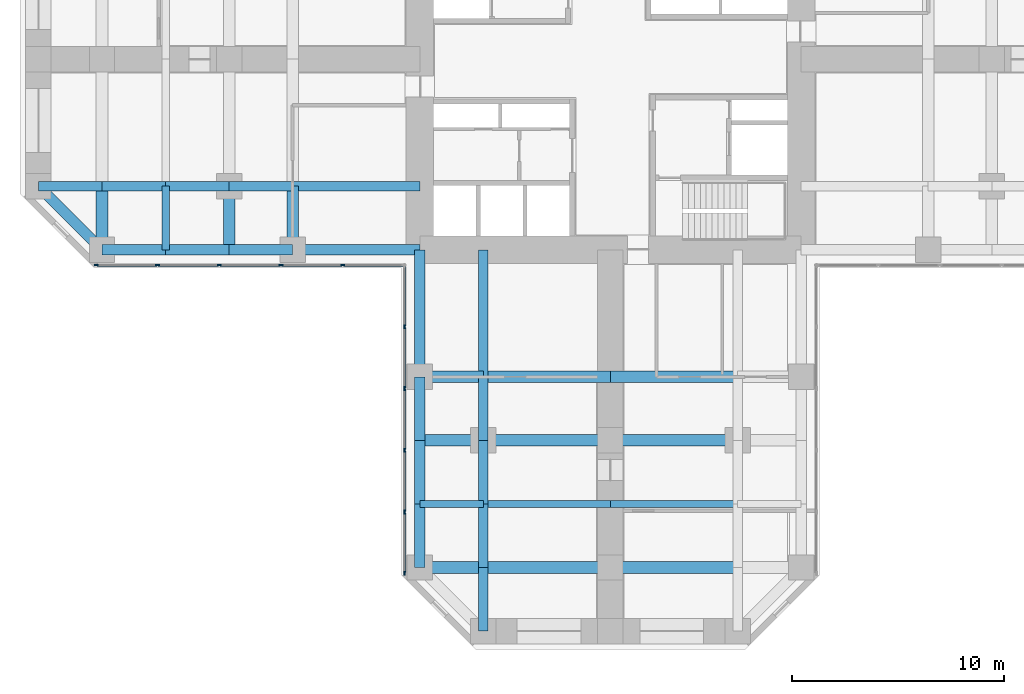
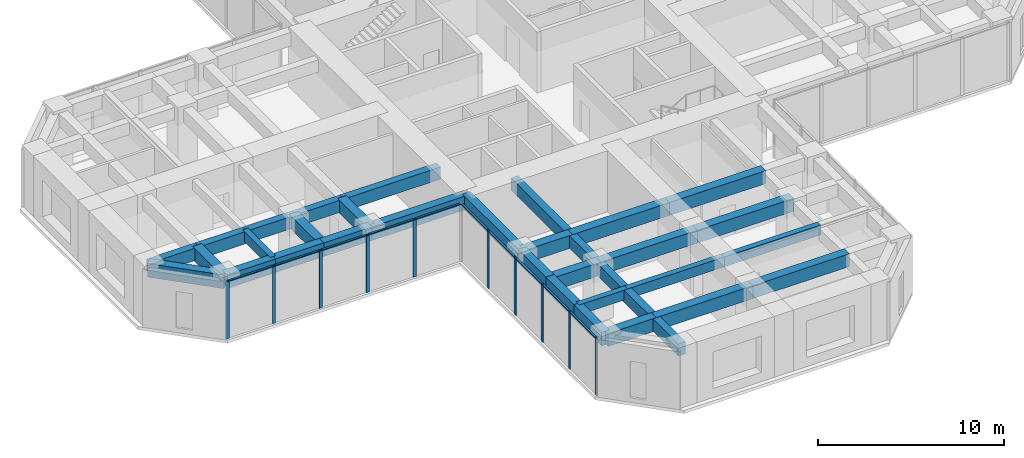
# One storey, part 2 of 12: 35 beams, 20 members, 2 elements without a shape of their own.
"""IFC4 building model written with IfcOpenShell, lengths in metres."""

from ifc_helpers import new_model, si_unit, direction, frame, origin, origin_2d, place, context, subcontext, project, spatial, rectangle, extrude, material, material_profile, profile_set, type_object, element, aggregate, save


model = new_model("IFC4")

# Units and contexts
model_context = context("Model", 3, precision=1e-05, world=origin(), true_north=direction((0.0, 1.0)))
body_context = subcontext(model_context, "Body", "Model", "MODEL_VIEW")
ifc_project = project(units=[si_unit("LENGTHUNIT", "METRE"), si_unit("AREAUNIT", "SQUARE_METRE"), si_unit("VOLUMEUNIT", "CUBIC_METRE"), si_unit("PLANEANGLEUNIT", "RADIAN"), si_unit("MASSUNIT", "GRAM", prefix="KILO")], contexts=[model_context])

# Site, building, storey
site_placement = place(None, origin())
site = spatial("IfcSite", under=ifc_project, at=site_placement, CompositionType="ELEMENT")
building_placement = place(site_placement, origin())
building = spatial("IfcBuilding", under=site, at=building_placement, Name="Torre Cruceta", CompositionType="ELEMENT")
storey_placement = place(building_placement, frame((0.0, 0.0, 71.5)))
storey = spatial("IfcBuildingStorey", under=building, at=storey_placement, Name="L17", CompositionType="ELEMENT", Elevation=71.5)

# Beams
ifc_material_1 = material(Name="Concrete G60 (fck 60 MPa)", Category="concrete")
ifc_material_profile_1 = material_profile(ifc_material_1, rectangle(XDim=0.449951171875, YDim=0.800048828125, at=origin_2d()), Name="RC 450X800")
ifc_profile_set_1 = profile_set([ifc_material_profile_1], Name="Concrete G60 (fck 60 MPa)")
beam_type_1 = type_object("IfcBeamType", Name="COLUMN LINE BEAM RC 450X800", PredefinedType="BEAM", material=ifc_profile_set_1)
beam_1_placement = place(storey_placement, frame((-6.0, -9.0, 3.39990234375), z_axis=(0.0, -1.0, 0.0), x_axis=(1.0, 0.0, 0.0)))
element("IfcBeam", 1, at=beam_1_placement, inside=storey, type_object=beam_type_1, Name="LB1 L17 S col- 1", PredefinedType="BEAM", context=body_context, shape_type="SweptSolid", body=[
    extrude(rectangle(XDim=0.449951171875, YDim=0.800048828125, at=origin_2d()), origin(), (0.0, 0.0, 1.0), 6.0),
])
for number, where, z_axis, x_axis, name in (
    (2, (-6.0, -15.0, 3.39990234375), (0.0, -1.0, 0.0), (1.0, 0.0, 0.0), "LB1 L17 S col- 2"),
    (3, (-6.0, -18.0, 3.39990234375), (0.0, -1.0, 0.0), (1.0, 0.0, 0.0), "LB1 L17 S col- 3"),
    (4, (-6.0, -21.0, 3.39990234375), (0.0, -1.0, 0.0), (1.0, 0.0, 0.0), "LB1 L17 S col- 4"),
    (5, (-6.0, -24.0, 3.39990234375), (0.0, -1.0, 0.0), (1.0, 0.0, 0.0), "LB1 L17 S col- 5"),
):
    element("IfcBeam", number, at=place(storey_placement, frame(where, z_axis=z_axis, x_axis=x_axis)), inside=storey, type_object=beam_type_1, Name=name, PredefinedType="BEAM", context=body_context, shape_type="SweptSolid", body=[
        extrude(rectangle(XDim=0.449951171875, YDim=0.800048828125, at=origin_2d()), origin(), (0.0, 0.0, 1.0), 3.0),
    ])
beam_2_placement = place(storey_placement, frame((-9.0, -6.0, 3.39990234375), z_axis=(-1.0, 0.0, 0.0), x_axis=(0.0, -1.0, 0.0)))
element("IfcBeam", 6, at=beam_2_placement, inside=storey, type_object=beam_type_1, Name="LB1 L17 W col+ 1", PredefinedType="BEAM", context=body_context, shape_type="SweptSolid", body=[
    extrude(rectangle(XDim=0.449951171875, YDim=0.800048828125, at=origin_2d()), origin(), (0.0, 0.0, 1.0), 6.0),
])
for number, where, z_axis, x_axis, name in (
    (7, (-15.0, -6.0, 3.39990234375), (-1.0, 0.0, 0.0), (0.0, -1.0, 0.0), "LB1 L17 W col+ 2"),
    (8, (-18.0, -6.0, 3.39990234375), (-1.0, 0.0, 0.0), (0.0, -1.0, 0.0), "LB1 L17 W col+ 3"),
    (9, (-21.0, -6.0, 3.39990234375), (-1.0, 0.0, 0.0), (0.0, -1.0, 0.0), "LB1 L17 W col+ 4"),
    (10, (-24.0, -6.0, 3.39990234375), (-1.0, 0.0, 0.0), (0.0, -1.0, 0.0), "LB1 L17 W col+ 5"),
):
    element("IfcBeam", number, at=place(storey_placement, frame(where, z_axis=z_axis, x_axis=x_axis)), inside=storey, type_object=beam_type_1, Name=name, PredefinedType="BEAM", context=body_context, shape_type="SweptSolid", body=[
        extrude(rectangle(XDim=0.449951171875, YDim=0.800048828125, at=origin_2d()), origin(), (0.0, 0.0, 1.0), 3.0),
    ])
ifc_material_2 = material(Name="Concrete G60 (fck 60 MPa)", Category="concrete")
ifc_material_profile_2 = material_profile(ifc_material_2, rectangle(XDim=0.550048828125, YDim=0.85009765625, at=origin_2d()), Name="RC 550X850")
ifc_profile_set_2 = profile_set([ifc_material_profile_2], Name="Concrete G60 (fck 60 MPa)")
beam_type_2 = type_object("IfcBeamType", Name="CROSS BEAM RC 550X850", PredefinedType="BEAM", material=ifc_profile_set_2)
beam_3_placement = place(storey_placement, frame((-9.0, -15.0, 3.375), z_axis=(1.0, 0.0, 0.0), x_axis=(0.0, 1.0, 0.0)))
element("IfcBeam", 11, at=beam_3_placement, inside=storey, type_object=beam_type_2, Name="GB4 L17 S cross15 1", PredefinedType="BEAM", context=body_context, shape_type="SweptSolid", body=[
    extrude(rectangle(XDim=0.550048828125, YDim=0.85009765625, at=origin_2d()), origin(), (0.0, 0.0, 1.0), 3.0),
])
for number, where, z_axis, x_axis, name in (
    (12, (-6.0, -15.0, 3.375), (1.0, 0.0, 0.0), (0.0, 1.0, 0.0), "GB4 L17 S cross15 2"),
    (13, (0.0, -15.0, 3.375), (1.0, 0.0, 0.0), (0.0, 1.0, 0.0), "GB4 L17 S cross15 3"),
):
    element("IfcBeam", number, at=place(storey_placement, frame(where, z_axis=z_axis, x_axis=x_axis)), inside=storey, type_object=beam_type_2, Name=name, PredefinedType="BEAM", context=body_context, shape_type="SweptSolid", body=[
        extrude(rectangle(XDim=0.550048828125, YDim=0.85009765625, at=origin_2d()), origin(), (0.0, 0.0, 1.0), 6.0),
    ])
beam_4_placement = place(storey_placement, frame((-9.0, -18.0, 3.375), z_axis=(1.0, 0.0, 0.0), x_axis=(0.0, 1.0, 0.0)))
element("IfcBeam", 14, at=beam_4_placement, inside=storey, type_object=beam_type_2, Name="GB4 L17 S cross18 1", PredefinedType="BEAM", context=body_context, shape_type="SweptSolid", body=[
    extrude(rectangle(XDim=0.550048828125, YDim=0.85009765625, at=origin_2d()), origin(), (0.0, 0.0, 1.0), 3.0),
])
for number, where, z_axis, x_axis, name in (
    (15, (-6.0, -18.0, 3.375), (1.0, 0.0, 0.0), (0.0, 1.0, 0.0), "GB4 L17 S cross18 2"),
    (16, (0.0, -18.0, 3.375), (1.0, 0.0, 0.0), (0.0, 1.0, 0.0), "GB4 L17 S cross18 3"),
):
    element("IfcBeam", number, at=place(storey_placement, frame(where, z_axis=z_axis, x_axis=x_axis)), inside=storey, type_object=beam_type_2, Name=name, PredefinedType="BEAM", context=body_context, shape_type="SweptSolid", body=[
        extrude(rectangle(XDim=0.550048828125, YDim=0.85009765625, at=origin_2d()), origin(), (0.0, 0.0, 1.0), 6.0),
    ])
beam_5_placement = place(storey_placement, frame((-9.0, -24.0, 3.375), z_axis=(1.0, 0.0, 0.0), x_axis=(0.0, 1.0, 0.0)))
element("IfcBeam", 17, at=beam_5_placement, inside=storey, type_object=beam_type_2, Name="GB4 L17 S cross24 1", PredefinedType="BEAM", context=body_context, shape_type="SweptSolid", body=[
    extrude(rectangle(XDim=0.550048828125, YDim=0.85009765625, at=origin_2d()), origin(), (0.0, 0.0, 1.0), 3.0),
])
for number, where, z_axis, x_axis, name in (
    (18, (-6.0, -24.0, 3.375), (1.0, 0.0, 0.0), (0.0, 1.0, 0.0), "GB4 L17 S cross24 2"),
    (19, (0.0, -24.0, 3.375), (1.0, 0.0, 0.0), (0.0, 1.0, 0.0), "GB4 L17 S cross24 3"),
):
    element("IfcBeam", number, at=place(storey_placement, frame(where, z_axis=z_axis, x_axis=x_axis)), inside=storey, type_object=beam_type_2, Name=name, PredefinedType="BEAM", context=body_context, shape_type="SweptSolid", body=[
        extrude(rectangle(XDim=0.550048828125, YDim=0.85009765625, at=origin_2d()), origin(), (0.0, 0.0, 1.0), 6.0),
    ])
for number, where, z_axis, x_axis, name in (
    (20, (-15.0, -6.0, 3.375), (0.0, -1.0, 0.0), (1.0, 0.0, 0.0), "GB4 L17 W cross15 4"),
    (21, (-18.0, -6.0, 3.375), (0.0, -1.0, 0.0), (1.0, 0.0, 0.0), "GB4 L17 W cross18 4"),
    (22, (-24.0, -6.0, 3.375), (0.0, -1.0, 0.0), (1.0, 0.0, 0.0), "GB4 L17 W cross24 4"),
):
    element("IfcBeam", number, at=place(storey_placement, frame(where, z_axis=z_axis, x_axis=x_axis)), inside=storey, type_object=beam_type_2, Name=name, PredefinedType="BEAM", context=body_context, shape_type="SweptSolid", body=[
        extrude(rectangle(XDim=0.550048828125, YDim=0.85009765625, at=origin_2d()), origin(), (0.0, 0.0, 1.0), 3.0),
    ])

# Curtain wall, members
ifc_material_3 = material(Name="Aluminium unitised curtain wall", Category="aluminium")
curtain_wall_type = type_object("IfcCurtainWallType", Name="CURTAIN WALL CW-A OFFICE LOW RISE", PredefinedType="USERDEFINED", material=ifc_material_3)
curtain_wall_1_placement = place(storey_placement, origin())
curtain_wall_1 = element("IfcCurtainWall", 23, at=curtain_wall_1_placement, inside=storey, type_object=curtain_wall_type, Name="CW-A L17 W side 14", ObjectType="UNITISED", PredefinedType="USERDEFINED")
ifc_material_4 = material(Name="Aluminium mullion", Category="aluminium")
ifc_material_profile_3 = material_profile(ifc_material_4, rectangle(XDim=0.06494140625, YDim=0.199951171875, at=origin_2d()), Name="AL 65X200")
ifc_profile_set_3 = profile_set([ifc_material_profile_3], Name="Aluminium mullion")
member_type_1 = type_object("IfcMemberType", Name="CW-A MULLION 65X200", PredefinedType="MULLION", material=ifc_profile_set_3)
member_1_placement = place(storey_placement, frame((-24.265625, -9.719970703125, 0.0), z_axis=(0.0, 0.0, 1.0), x_axis=(0.0, 1.0, 0.0)))
member_1 = element("IfcMember", 24, at=member_1_placement, type_object=member_type_1, Name="CW-A mullion 1", PredefinedType="MULLION", context=body_context, shape_type="SweptSolid", body=[
    extrude(rectangle(XDim=0.06494140625, YDim=0.199951171875, at=origin_2d()), origin(), (0.0, 0.0, 1.0), 3.800048828125),
])
member_2_placement = place(storey_placement, frame((-21.382568359375, -9.719970703125, 0.0), z_axis=(0.0, 0.0, 1.0), x_axis=(0.0, 1.0, 0.0)))
member_2 = element("IfcMember", 25, at=member_2_placement, type_object=member_type_1, Name="CW-A mullion 2", PredefinedType="MULLION", context=body_context, shape_type="SweptSolid", body=[
    extrude(rectangle(XDim=0.06494140625, YDim=0.199951171875, at=origin_2d()), origin(), (0.0, 0.0, 1.0), 3.800048828125),
])
member_3_placement = place(storey_placement, frame((-18.467041015625, -9.719970703125, 0.0), z_axis=(0.0, 0.0, 1.0), x_axis=(0.0, 1.0, 0.0)))
member_3 = element("IfcMember", 26, at=member_3_placement, type_object=member_type_1, Name="CW-A mullion 3", PredefinedType="MULLION", context=body_context, shape_type="SweptSolid", body=[
    extrude(rectangle(XDim=0.06494140625, YDim=0.199951171875, at=origin_2d()), origin(), (0.0, 0.0, 1.0), 3.800048828125),
])
member_4_placement = place(storey_placement, frame((-15.55126953125, -9.719970703125, 0.0), z_axis=(0.0, 0.0, 1.0), x_axis=(0.0, 1.0, 0.0)))
member_4 = element("IfcMember", 27, at=member_4_placement, type_object=member_type_1, Name="CW-A mullion 4", PredefinedType="MULLION", context=body_context, shape_type="SweptSolid", body=[
    extrude(rectangle(XDim=0.06494140625, YDim=0.199951171875, at=origin_2d()), origin(), (0.0, 0.0, 1.0), 3.800048828125),
])
member_5_placement = place(storey_placement, frame((-12.6357421875, -9.719970703125, 0.0), z_axis=(0.0, 0.0, 1.0), x_axis=(0.0, 1.0, 0.0)))
member_5 = element("IfcMember", 28, at=member_5_placement, type_object=member_type_1, Name="CW-A mullion 5", PredefinedType="MULLION", context=body_context, shape_type="SweptSolid", body=[
    extrude(rectangle(XDim=0.06494140625, YDim=0.199951171875, at=origin_2d()), origin(), (0.0, 0.0, 1.0), 3.800048828125),
])

curtain_wall_2_placement = place(storey_placement, origin())
curtain_wall_2 = element("IfcCurtainWall", 29, at=curtain_wall_2_placement, inside=storey, type_object=curtain_wall_type, Name="CW-A L17 S side 15", ObjectType="UNITISED", PredefinedType="USERDEFINED")
member_6_placement = place(storey_placement, frame((-9.719970703125, -12.6357421875, 0.0), z_axis=(0.0, 0.0, 1.0), x_axis=(1.0, 0.0, 0.0)))
member_6 = element("IfcMember", 30, at=member_6_placement, type_object=member_type_1, Name="CW-A mullion 2", PredefinedType="MULLION", context=body_context, shape_type="SweptSolid", body=[
    extrude(rectangle(XDim=0.06494140625, YDim=0.199951171875, at=origin_2d()), origin(), (0.0, 0.0, 1.0), 3.800048828125),
])
member_7_placement = place(storey_placement, frame((-9.719970703125, -15.55126953125, 0.0), z_axis=(0.0, 0.0, 1.0), x_axis=(1.0, 0.0, 0.0)))
member_7 = element("IfcMember", 31, at=member_7_placement, type_object=member_type_1, Name="CW-A mullion 3", PredefinedType="MULLION", context=body_context, shape_type="SweptSolid", body=[
    extrude(rectangle(XDim=0.06494140625, YDim=0.199951171875, at=origin_2d()), origin(), (0.0, 0.0, 1.0), 3.800048828125),
])
member_8_placement = place(storey_placement, frame((-9.719970703125, -18.467041015625, 0.0), z_axis=(0.0, 0.0, 1.0), x_axis=(1.0, 0.0, 0.0)))
member_8 = element("IfcMember", 32, at=member_8_placement, type_object=member_type_1, Name="CW-A mullion 4", PredefinedType="MULLION", context=body_context, shape_type="SweptSolid", body=[
    extrude(rectangle(XDim=0.06494140625, YDim=0.199951171875, at=origin_2d()), origin(), (0.0, 0.0, 1.0), 3.800048828125),
])
member_9_placement = place(storey_placement, frame((-9.719970703125, -21.382568359375, 0.0), z_axis=(0.0, 0.0, 1.0), x_axis=(1.0, 0.0, 0.0)))
member_9 = element("IfcMember", 33, at=member_9_placement, type_object=member_type_1, Name="CW-A mullion 5", PredefinedType="MULLION", context=body_context, shape_type="SweptSolid", body=[
    extrude(rectangle(XDim=0.06494140625, YDim=0.199951171875, at=origin_2d()), origin(), (0.0, 0.0, 1.0), 3.800048828125),
])
member_10_placement = place(storey_placement, frame((-9.719970703125, -24.265625, 0.0), z_axis=(0.0, 0.0, 1.0), x_axis=(1.0, 0.0, 0.0)))
member_10 = element("IfcMember", 34, at=member_10_placement, type_object=member_type_1, Name="CW-A mullion 6", PredefinedType="MULLION", context=body_context, shape_type="SweptSolid", body=[
    extrude(rectangle(XDim=0.06494140625, YDim=0.199951171875, at=origin_2d()), origin(), (0.0, 0.0, 1.0), 3.800048828125),
])

# Member
ifc_material_5 = material(Name="Aluminium transom", Category="aluminium")
ifc_material_profile_4 = material_profile(ifc_material_5, rectangle(XDim=0.1201171875, YDim=0.06494140625, at=origin_2d()), Name="AL 120X65")
ifc_profile_set_4 = profile_set([ifc_material_profile_4], Name="Aluminium transom")
member_type_2 = type_object("IfcMemberType", Name="CW-A TRANSOM 65X120", PredefinedType="USERDEFINED", material=ifc_profile_set_4)
member_11_placement = place(storey_placement, frame((-24.233154296875, -9.719970703125, 3.767578125), z_axis=(1.0, 0.0, 0.0), x_axis=(0.0, 1.0, 0.0)))
member_11 = element("IfcMember", 35, at=member_11_placement, type_object=member_type_2, Name="CW-A transom 1", ObjectType="TRANSOM", PredefinedType="USERDEFINED", context=body_context, shape_type="SweptSolid", body=[
    extrude(rectangle(XDim=0.1201171875, YDim=0.06494140625, at=origin_2d()), origin(), (0.0, 0.0, 1.0), 2.818115234375),
])

member_12_placement = place(storey_placement, frame((-21.35009765625, -9.719970703125, 3.767578125), z_axis=(1.0, 0.0, 0.0), x_axis=(0.0, 1.0, 0.0)))
member_12 = element("IfcMember", 36, at=member_12_placement, type_object=member_type_2, Name="CW-A transom 2", ObjectType="TRANSOM", PredefinedType="USERDEFINED", context=body_context, shape_type="SweptSolid", body=[
    extrude(rectangle(XDim=0.1201171875, YDim=0.06494140625, at=origin_2d()), origin(), (0.0, 0.0, 1.0), 2.8505859375),
])

member_13_placement = place(storey_placement, frame((-18.434326171875, -9.719970703125, 3.767578125), z_axis=(1.0, 0.0, 0.0), x_axis=(0.0, 1.0, 0.0)))
member_13 = element("IfcMember", 37, at=member_13_placement, type_object=member_type_2, Name="CW-A transom 3", ObjectType="TRANSOM", PredefinedType="USERDEFINED", context=body_context, shape_type="SweptSolid", body=[
    extrude(rectangle(XDim=0.1201171875, YDim=0.06494140625, at=origin_2d()), origin(), (0.0, 0.0, 1.0), 2.8505859375),
])

member_14_placement = place(storey_placement, frame((-15.518798828125, -9.719970703125, 3.767578125), z_axis=(1.0, 0.0, 0.0), x_axis=(0.0, 1.0, 0.0)))
member_14 = element("IfcMember", 38, at=member_14_placement, type_object=member_type_2, Name="CW-A transom 4", ObjectType="TRANSOM", PredefinedType="USERDEFINED", context=body_context, shape_type="SweptSolid", body=[
    extrude(rectangle(XDim=0.1201171875, YDim=0.06494140625, at=origin_2d()), origin(), (0.0, 0.0, 1.0), 2.8505859375),
])

member_15_placement = place(storey_placement, frame((-12.60302734375, -9.719970703125, 3.767578125), z_axis=(1.0, 0.0, 0.0), x_axis=(0.0, 1.0, 0.0)))
member_15 = element("IfcMember", 39, at=member_15_placement, type_object=member_type_2, Name="CW-A transom 5", ObjectType="TRANSOM", PredefinedType="USERDEFINED", context=body_context, shape_type="SweptSolid", body=[
    extrude(rectangle(XDim=0.1201171875, YDim=0.06494140625, at=origin_2d()), origin(), (0.0, 0.0, 1.0), 2.818115234375),
])

aggregate(curtain_wall_1, [member_1, member_2, member_3, member_4, member_5, member_11, member_12, member_13, member_14, member_15])

member_16_placement = place(storey_placement, frame((-9.719970703125, -9.784912109375, 3.767578125), z_axis=(0.0, -1.0, 0.0), x_axis=(1.0, 0.0, 0.0)))
member_16 = element("IfcMember", 40, at=member_16_placement, type_object=member_type_2, Name="CW-A transom 1", ObjectType="TRANSOM", PredefinedType="USERDEFINED", context=body_context, shape_type="SweptSolid", body=[
    extrude(rectangle(XDim=0.1201171875, YDim=0.06494140625, at=origin_2d()), origin(), (0.0, 0.0, 1.0), 2.818115234375),
])

member_17_placement = place(storey_placement, frame((-9.719970703125, -12.668212890625, 3.767578125), z_axis=(0.0, -1.0, 0.0), x_axis=(1.0, 0.0, 0.0)))
member_17 = element("IfcMember", 41, at=member_17_placement, type_object=member_type_2, Name="CW-A transom 2", ObjectType="TRANSOM", PredefinedType="USERDEFINED", context=body_context, shape_type="SweptSolid", body=[
    extrude(rectangle(XDim=0.1201171875, YDim=0.06494140625, at=origin_2d()), origin(), (0.0, 0.0, 1.0), 2.8505859375),
])

member_18_placement = place(storey_placement, frame((-9.719970703125, -15.583740234375, 3.767578125), z_axis=(0.0, -1.0, 0.0), x_axis=(1.0, 0.0, 0.0)))
member_18 = element("IfcMember", 42, at=member_18_placement, type_object=member_type_2, Name="CW-A transom 3", ObjectType="TRANSOM", PredefinedType="USERDEFINED", context=body_context, shape_type="SweptSolid", body=[
    extrude(rectangle(XDim=0.1201171875, YDim=0.06494140625, at=origin_2d()), origin(), (0.0, 0.0, 1.0), 2.8505859375),
])

member_19_placement = place(storey_placement, frame((-9.719970703125, -18.49951171875, 3.767578125), z_axis=(0.0, -1.0, 0.0), x_axis=(1.0, 0.0, 0.0)))
member_19 = element("IfcMember", 43, at=member_19_placement, type_object=member_type_2, Name="CW-A transom 4", ObjectType="TRANSOM", PredefinedType="USERDEFINED", context=body_context, shape_type="SweptSolid", body=[
    extrude(rectangle(XDim=0.1201171875, YDim=0.06494140625, at=origin_2d()), origin(), (0.0, 0.0, 1.0), 2.8505859375),
])

member_20_placement = place(storey_placement, frame((-9.719970703125, -21.4150390625, 3.767578125), z_axis=(0.0, -1.0, 0.0), x_axis=(1.0, 0.0, 0.0)))
member_20 = element("IfcMember", 44, at=member_20_placement, type_object=member_type_2, Name="CW-A transom 5", ObjectType="TRANSOM", PredefinedType="USERDEFINED", context=body_context, shape_type="SweptSolid", body=[
    extrude(rectangle(XDim=0.1201171875, YDim=0.06494140625, at=origin_2d()), origin(), (0.0, 0.0, 1.0), 2.818115234375),
])

aggregate(curtain_wall_2, [member_6, member_7, member_8, member_9, member_10, member_16, member_17, member_18, member_19, member_20])

# Beams
ifc_material_6 = material(Name="Concrete G60 (fck 60 MPa)", Category="concrete")
ifc_material_profile_5 = material_profile(ifc_material_6, rectangle(XDim=0.35009765625, YDim=0.64990234375, at=origin_2d()), Name="RC 350X650")
ifc_profile_set_5 = profile_set([ifc_material_profile_5], Name="Concrete G60 (fck 60 MPa)")
beam_type_3 = type_object("IfcBeamType", Name="SECONDARY BEAM RC 350X650", PredefinedType="JOIST", material=ifc_profile_set_5)
beam_6_placement = place(storey_placement, frame((-9.0, -21.0, 3.47509765625), z_axis=(1.0, 0.0, 0.0), x_axis=(0.0, 1.0, 0.0)))
element("IfcBeam", 45, at=beam_6_placement, inside=storey, type_object=beam_type_3, Name="JB3 L17 S sec21 1", PredefinedType="JOIST", context=body_context, shape_type="SweptSolid", body=[
    extrude(rectangle(XDim=0.35009765625, YDim=0.64990234375, at=origin_2d()), origin(), (0.0, 0.0, 1.0), 3.0),
])
for number, where, z_axis, x_axis, name in (
    (46, (-6.0, -21.0, 3.47509765625), (1.0, 0.0, 0.0), (0.0, 1.0, 0.0), "JB3 L17 S sec21 2"),
    (47, (0.0, -21.0, 3.47509765625), (1.0, 0.0, 0.0), (0.0, 1.0, 0.0), "JB3 L17 S sec21 3"),
):
    element("IfcBeam", number, at=place(storey_placement, frame(where, z_axis=z_axis, x_axis=x_axis)), inside=storey, type_object=beam_type_3, Name=name, PredefinedType="JOIST", context=body_context, shape_type="SweptSolid", body=[
        extrude(rectangle(XDim=0.35009765625, YDim=0.64990234375, at=origin_2d()), origin(), (0.0, 0.0, 1.0), 6.0),
    ])
beam_7_placement = place(storey_placement, frame((-21.0, -6.0, 3.47509765625), z_axis=(0.0, -1.0, 0.0), x_axis=(1.0, 0.0, 0.0)))
element("IfcBeam", 48, at=beam_7_placement, inside=storey, type_object=beam_type_3, Name="JB3 L17 W sec21 4", PredefinedType="JOIST", context=body_context, shape_type="SweptSolid", body=[
    extrude(rectangle(XDim=0.35009765625, YDim=0.64990234375, at=origin_2d()), origin(), (0.0, 0.0, 1.0), 3.0),
])
ifc_material_7 = material(Name="Concrete G60 (fck 60 MPa)", Category="concrete")
ifc_material_profile_6 = material_profile(ifc_material_7, rectangle(XDim=0.5, YDim=0.89990234375, at=origin_2d()), Name="RC 500X900")
ifc_profile_set_6 = profile_set([ifc_material_profile_6], Name="Concrete G60 (fck 60 MPa)")
beam_type_4 = type_object("IfcBeamType", Name="SPANDREL BEAM RC 500X900", PredefinedType="SPANDREL", material=ifc_profile_set_6)
beam_8_placement = place(storey_placement, frame((-9.0, -9.0, 3.35009765625), z_axis=(0.0, -1.0, 0.0), x_axis=(1.0, 0.0, 0.0)))
element("IfcBeam", 49, at=beam_8_placement, inside=storey, type_object=beam_type_4, Name="SB4 L17 S side- 1", PredefinedType="SPANDREL", context=body_context, shape_type="SweptSolid", body=[
    extrude(rectangle(XDim=0.5, YDim=0.89990234375, at=origin_2d()), origin(), (0.0, 0.0, 1.0), 6.0),
])
for number, where, z_axis, x_axis, name in (
    (50, (-9.0, -15.0, 3.35009765625), (0.0, -1.0, 0.0), (1.0, 0.0, 0.0), "SB4 L17 S side- 2"),
    (51, (-9.0, -18.0, 3.35009765625), (0.0, -1.0, 0.0), (1.0, 0.0, 0.0), "SB4 L17 S side- 3"),
    (52, (-9.0, -21.0, 3.35009765625), (0.0, -1.0, 0.0), (1.0, 0.0, 0.0), "SB4 L17 S side- 4"),
):
    element("IfcBeam", number, at=place(storey_placement, frame(where, z_axis=z_axis, x_axis=x_axis)), inside=storey, type_object=beam_type_4, Name=name, PredefinedType="SPANDREL", context=body_context, shape_type="SweptSolid", body=[
        extrude(rectangle(XDim=0.5, YDim=0.89990234375, at=origin_2d()), origin(), (0.0, 0.0, 1.0), 3.0),
    ])
beam_9_placement = place(storey_placement, frame((-9.0, -9.0, 3.35009765625), z_axis=(-1.0, 0.0, 0.0), x_axis=(0.0, -1.0, 0.0)))
element("IfcBeam", 53, at=beam_9_placement, inside=storey, type_object=beam_type_4, Name="SB4 L17 W side+ 1", PredefinedType="SPANDREL", context=body_context, shape_type="SweptSolid", body=[
    extrude(rectangle(XDim=0.5, YDim=0.89990234375, at=origin_2d()), origin(), (0.0, 0.0, 1.0), 6.0),
])
for number, where, z_axis, x_axis, name in (
    (54, (-15.0, -9.0, 3.35009765625), (-1.0, 0.0, 0.0), (0.0, -1.0, 0.0), "SB4 L17 W side+ 2"),
    (55, (-18.0, -9.0, 3.35009765625), (-1.0, 0.0, 0.0), (0.0, -1.0, 0.0), "SB4 L17 W side+ 3"),
    (56, (-21.0, -9.0, 3.35009765625), (-1.0, 0.0, 0.0), (0.0, -1.0, 0.0), "SB4 L17 W side+ 4"),
):
    element("IfcBeam", number, at=place(storey_placement, frame(where, z_axis=z_axis, x_axis=x_axis)), inside=storey, type_object=beam_type_4, Name=name, PredefinedType="SPANDREL", context=body_context, shape_type="SweptSolid", body=[
        extrude(rectangle(XDim=0.5, YDim=0.89990234375, at=origin_2d()), origin(), (0.0, 0.0, 1.0), 3.0),
    ])
beam_10_placement = place(storey_placement, frame((-24.0, -9.0, 3.35009765625), z_axis=(-0.707106781187, 0.707106781187, 0.0), x_axis=(-0.707106781187, -0.707106781187, 0.0)))
element("IfcBeam", 57, at=beam_10_placement, inside=storey, type_object=beam_type_4, Name="SB4 L17 W side+ 5", PredefinedType="SPANDREL", context=body_context, shape_type="SweptSolid", body=[
    extrude(rectangle(XDim=0.5, YDim=0.89990234375, at=origin_2d()), origin(), (0.0, 0.0, 1.0), 4.24267578125),
])

save(model, "model.ifc")
